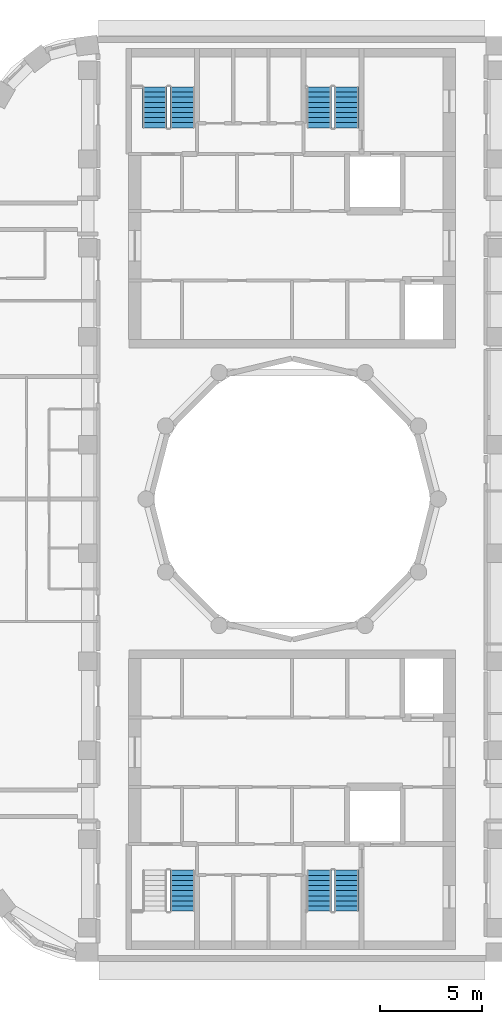
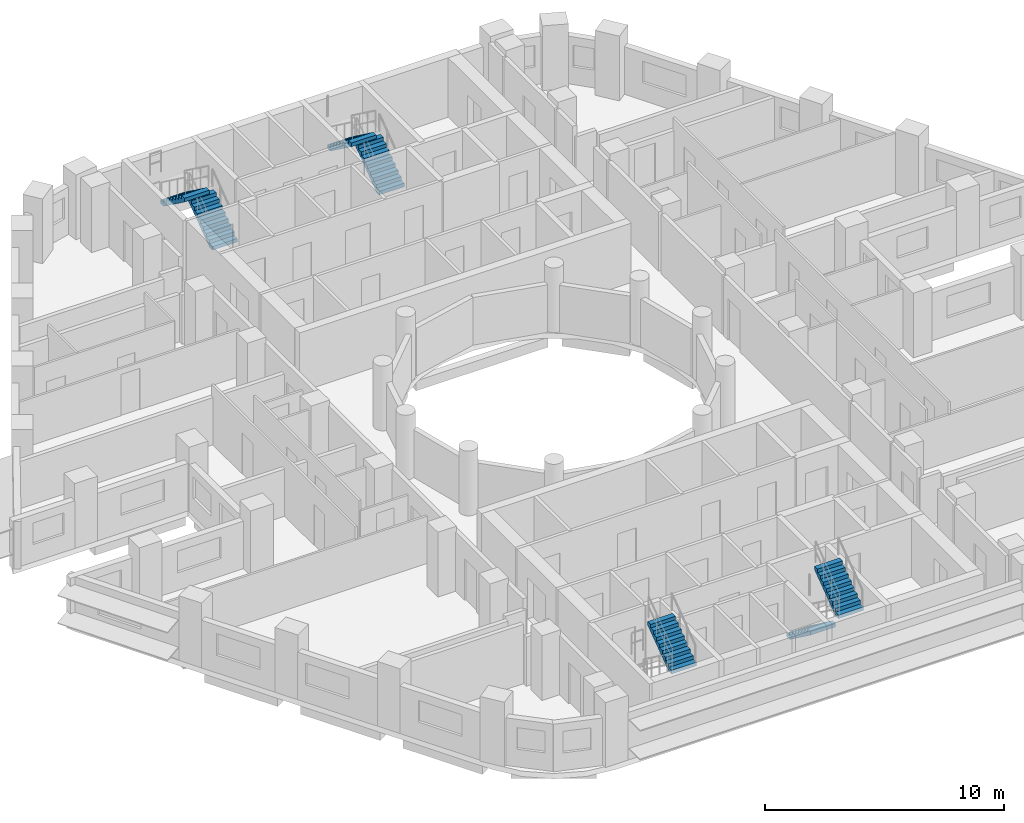
# One storey, part 9 of 12: 7 stair flights, 4 elements without a shape of their own.
"""IFC4 building model written with IfcOpenShell, lengths in metres."""

from ifc_helpers import new_model, si_unit, direction, frame, origin, place, context, subcontext, project, spatial, polyline, outline, extrude, material, type_object, element, aggregate, save


model = new_model("IFC4")

# Units and contexts
model_context = context("Model", 3, precision=1e-05, world=origin(), true_north=direction((0.0, 1.0)))
body_context = subcontext(model_context, "Body", "Model", "MODEL_VIEW")
ifc_project = project(units=[si_unit("LENGTHUNIT", "METRE"), si_unit("AREAUNIT", "SQUARE_METRE"), si_unit("VOLUMEUNIT", "CUBIC_METRE"), si_unit("PLANEANGLEUNIT", "RADIAN"), si_unit("MASSUNIT", "GRAM", prefix="KILO")], contexts=[model_context])

# Site, building, storey
site_placement = place(None, origin())
site = spatial("IfcSite", under=ifc_project, at=site_placement, CompositionType="ELEMENT")
building_placement = place(site_placement, origin())
building = spatial("IfcBuilding", under=site, at=building_placement, Name="Nakaniwa Court", CompositionType="ELEMENT")
storey_placement = place(building_placement, frame((0.0, 0.0, 252.60009765625)))
storey = spatial("IfcBuildingStorey", under=building, at=storey_placement, Name="L66", CompositionType="ELEMENT", Elevation=252.60009765625)

# Stair, stair flights
ifc_material = material(Name="Concrete C80/100", Category="concrete")
stair_type = type_object("IfcStairType", Name="Dog leg stair 1200 wide 18 risers", PredefinedType="HALF_TURN_STAIR", material=ifc_material)
stair_1_placement = place(storey_placement, origin())
stair_1 = element("IfcStair", 1, at=stair_1_placement, inside=storey, type_object=stair_type, Name="L66 Stair ST1", PredefinedType="HALF_TURN_STAIR")
stair_flight_type = type_object("IfcStairFlightType", Name="Stair flight 1200 wide 9 risers", PredefinedType="STRAIGHT", material=ifc_material)
stair_flight_1_placement = place(storey_placement, frame((74.625, 98.175048828125, 0.0), z_axis=(0.0, 0.0, 1.0), x_axis=(0.0, 1.0, 0.0)))
stair_flight_1 = element("IfcStairFlight", 2, at=stair_flight_1_placement, type_object=stair_flight_type, Name="ST1 flight 1", NumberOfRisers=9, NumberOfTreads=8, PredefinedType="STRAIGHT", RiserHeight=0.183333333, TreadLength=0.25, context=body_context, shape_type="SweptSolid", body=[
    extrude(outline(polyline([(0.0, 0.0), (0.0, 0.026123046875), (0.0, 0.052490234375), (0.0, 0.07861328125), (0.0, 0.104736328125), (0.0, 0.130859375), (0.0, 0.1572265625), (0.0, 0.183349609375), (0.25, 0.183349609375), (0.25, 0.36669921875), (0.5, 0.36669921875), (0.5, 0.550048828125), (0.75, 0.550048828125), (0.75, 0.7333984375), (1.0, 0.7333984375), (1.0, 0.916748046875), (1.25, 0.916748046875), (1.25, 1.10009765625), (1.5, 1.10009765625), (1.5, 1.283447265625), (1.75, 1.283447265625), (1.75, 1.466552734375), (2.0, 1.466552734375), (2.0, 1.64990234375), (2.0, 1.59716796875), (2.0, 1.54443359375), (2.0, 1.49169921875), (2.0, 1.43896484375), (2.0, 1.38623046875), (2.0, 1.33349609375), (2.0, 1.28076171875), (0.25341796875, 0.0), (0.0, 0.0)])), frame((0.0, 0.60009765625, 0.0), z_axis=(0.0, -1.0, 0.0), x_axis=(1.0, 0.0, 0.0)), (0.0, 0.0, 1.0), 1.199951171875),
])
stair_flight_2_placement = place(storey_placement, frame((73.27490234375, 100.175048828125, 1.64990234375), z_axis=(0.0, 0.0, 1.0), x_axis=(0.0, -1.0, 0.0)))
stair_flight_2 = element("IfcStairFlight", 3, at=stair_flight_2_placement, type_object=stair_flight_type, Name="ST1 flight 2", NumberOfRisers=9, NumberOfTreads=8, PredefinedType="STRAIGHT", RiserHeight=0.183333333, TreadLength=0.25, context=body_context, shape_type="SweptSolid", body=[
    extrude(outline(polyline([(0.0, 0.0), (0.0, 0.026123046875), (0.0, 0.052490234375), (0.0, 0.07861328125), (0.0, 0.104736328125), (0.0, 0.130859375), (0.0, 0.1572265625), (0.0, 0.183349609375), (0.25, 0.183349609375), (0.25, 0.36669921875), (0.5, 0.36669921875), (0.5, 0.550048828125), (0.75, 0.550048828125), (0.75, 0.7333984375), (1.0, 0.7333984375), (1.0, 0.916748046875), (1.25, 0.916748046875), (1.25, 1.10009765625), (1.5, 1.10009765625), (1.5, 1.283447265625), (1.75, 1.283447265625), (1.75, 1.466552734375), (2.0, 1.466552734375), (2.0, 1.64990234375), (2.0, 1.59716796875), (2.0, 1.54443359375), (2.0, 1.49169921875), (2.0, 1.43896484375), (2.0, 1.38623046875), (2.0, 1.33349609375), (2.0, 1.28076171875), (0.25341796875, 0.0), (0.0, 0.0)])), frame((0.0, 0.60009765625, 0.0), z_axis=(0.0, -1.0, 0.0), x_axis=(1.0, 0.0, 0.0)), (0.0, 0.0, 1.0), 1.199951171875),
])
aggregate(stair_1, [stair_flight_1, stair_flight_2])

stair_2_placement = place(storey_placement, origin())
stair_2 = element("IfcStair", 4, at=stair_2_placement, inside=storey, type_object=stair_type, Name="L66 Stair ST2", PredefinedType="HALF_TURN_STAIR")
stair_flight_3_placement = place(storey_placement, frame((82.675048828125, 98.175048828125, 0.0), z_axis=(0.0, 0.0, 1.0), x_axis=(0.0, 1.0, 0.0)))
stair_flight_3 = element("IfcStairFlight", 5, at=stair_flight_3_placement, type_object=stair_flight_type, Name="ST2 flight 1", NumberOfRisers=9, NumberOfTreads=8, PredefinedType="STRAIGHT", RiserHeight=0.183333333, TreadLength=0.25, context=body_context, shape_type="SweptSolid", body=[
    extrude(outline(polyline([(0.0, 0.0), (0.0, 0.026123046875), (0.0, 0.052490234375), (0.0, 0.07861328125), (0.0, 0.104736328125), (0.0, 0.130859375), (0.0, 0.1572265625), (0.0, 0.183349609375), (0.25, 0.183349609375), (0.25, 0.36669921875), (0.5, 0.36669921875), (0.5, 0.550048828125), (0.75, 0.550048828125), (0.75, 0.7333984375), (1.0, 0.7333984375), (1.0, 0.916748046875), (1.25, 0.916748046875), (1.25, 1.10009765625), (1.5, 1.10009765625), (1.5, 1.283447265625), (1.75, 1.283447265625), (1.75, 1.466552734375), (2.0, 1.466552734375), (2.0, 1.64990234375), (2.0, 1.59716796875), (2.0, 1.54443359375), (2.0, 1.49169921875), (2.0, 1.43896484375), (2.0, 1.38623046875), (2.0, 1.33349609375), (2.0, 1.28076171875), (0.25341796875, 0.0), (0.0, 0.0)])), frame((0.0, 0.60009765625, 0.0), z_axis=(0.0, -1.0, 0.0), x_axis=(1.0, 0.0, 0.0)), (0.0, 0.0, 1.0), 1.199951171875),
])
stair_flight_4_placement = place(storey_placement, frame((81.324951171875, 100.175048828125, 1.64990234375), z_axis=(0.0, 0.0, 1.0), x_axis=(0.0, -1.0, 0.0)))
stair_flight_4 = element("IfcStairFlight", 6, at=stair_flight_4_placement, type_object=stair_flight_type, Name="ST2 flight 2", NumberOfRisers=9, NumberOfTreads=8, PredefinedType="STRAIGHT", RiserHeight=0.183333333, TreadLength=0.25, context=body_context, shape_type="SweptSolid", body=[
    extrude(outline(polyline([(0.0, 0.0), (0.0, 0.026123046875), (0.0, 0.052490234375), (0.0, 0.07861328125), (0.0, 0.104736328125), (0.0, 0.130859375), (0.0, 0.1572265625), (0.0, 0.183349609375), (0.25, 0.183349609375), (0.25, 0.36669921875), (0.5, 0.36669921875), (0.5, 0.550048828125), (0.75, 0.550048828125), (0.75, 0.7333984375), (1.0, 0.7333984375), (1.0, 0.916748046875), (1.25, 0.916748046875), (1.25, 1.10009765625), (1.5, 1.10009765625), (1.5, 1.283447265625), (1.75, 1.283447265625), (1.75, 1.466552734375), (2.0, 1.466552734375), (2.0, 1.64990234375), (2.0, 1.59716796875), (2.0, 1.54443359375), (2.0, 1.49169921875), (2.0, 1.43896484375), (2.0, 1.38623046875), (2.0, 1.33349609375), (2.0, 1.28076171875), (0.25341796875, 0.0), (0.0, 0.0)])), frame((0.0, 0.60009765625, 0.0), z_axis=(0.0, -1.0, 0.0), x_axis=(1.0, 0.0, 0.0)), (0.0, 0.0, 1.0), 1.199951171875),
])
aggregate(stair_2, [stair_flight_3, stair_flight_4])

# Stair, stair flight
stair_3_placement = place(storey_placement, origin())
stair_3 = element("IfcStair", 7, at=stair_3_placement, inside=storey, type_object=stair_type, Name="L66 Stair ST3", PredefinedType="HALF_TURN_STAIR")
stair_flight_5_placement = place(storey_placement, frame((74.625, 59.824951171875, 1.64990234375), z_axis=(0.0, 0.0, 1.0), x_axis=(0.0, 1.0, 0.0)))
stair_flight_5 = element("IfcStairFlight", 8, at=stair_flight_5_placement, type_object=stair_flight_type, Name="ST3 flight 2", NumberOfRisers=9, NumberOfTreads=8, PredefinedType="STRAIGHT", RiserHeight=0.183333333, TreadLength=0.25, context=body_context, shape_type="SweptSolid", body=[
    extrude(outline(polyline([(0.0, 0.0), (0.0, 0.026123046875), (0.0, 0.052490234375), (0.0, 0.07861328125), (0.0, 0.104736328125), (0.0, 0.130859375), (0.0, 0.1572265625), (0.0, 0.183349609375), (0.25, 0.183349609375), (0.25, 0.36669921875), (0.5, 0.36669921875), (0.5, 0.550048828125), (0.75, 0.550048828125), (0.75, 0.7333984375), (1.0, 0.7333984375), (1.0, 0.916748046875), (1.25, 0.916748046875), (1.25, 1.10009765625), (1.5, 1.10009765625), (1.5, 1.283447265625), (1.75, 1.283447265625), (1.75, 1.466552734375), (2.0, 1.466552734375), (2.0, 1.64990234375), (2.0, 1.59716796875), (2.0, 1.54443359375), (2.0, 1.49169921875), (2.0, 1.43896484375), (2.0, 1.38623046875), (2.0, 1.33349609375), (2.0, 1.28076171875), (0.25341796875, 0.0), (0.0, 0.0)])), frame((0.0, 0.60009765625, 0.0), z_axis=(0.0, -1.0, 0.0), x_axis=(1.0, 0.0, 0.0)), (0.0, 0.0, 1.0), 1.199951171875),
])
aggregate(stair_3, [stair_flight_5])

# Stair, stair flights
stair_4_placement = place(storey_placement, origin())
stair_4 = element("IfcStair", 9, at=stair_4_placement, inside=storey, type_object=stair_type, Name="L66 Stair ST4", PredefinedType="HALF_TURN_STAIR")
stair_flight_6_placement = place(storey_placement, frame((81.324951171875, 61.824951171875, 0.0), z_axis=(0.0, 0.0, 1.0), x_axis=(0.0, -1.0, 0.0)))
stair_flight_6 = element("IfcStairFlight", 10, at=stair_flight_6_placement, type_object=stair_flight_type, Name="ST4 flight 1", NumberOfRisers=9, NumberOfTreads=8, PredefinedType="STRAIGHT", RiserHeight=0.183333333, TreadLength=0.25, context=body_context, shape_type="SweptSolid", body=[
    extrude(outline(polyline([(0.0, 0.0), (0.0, 0.026123046875), (0.0, 0.052490234375), (0.0, 0.07861328125), (0.0, 0.104736328125), (0.0, 0.130859375), (0.0, 0.1572265625), (0.0, 0.183349609375), (0.25, 0.183349609375), (0.25, 0.36669921875), (0.5, 0.36669921875), (0.5, 0.550048828125), (0.75, 0.550048828125), (0.75, 0.7333984375), (1.0, 0.7333984375), (1.0, 0.916748046875), (1.25, 0.916748046875), (1.25, 1.10009765625), (1.5, 1.10009765625), (1.5, 1.283447265625), (1.75, 1.283447265625), (1.75, 1.466552734375), (2.0, 1.466552734375), (2.0, 1.64990234375), (2.0, 1.59716796875), (2.0, 1.54443359375), (2.0, 1.49169921875), (2.0, 1.43896484375), (2.0, 1.38623046875), (2.0, 1.33349609375), (2.0, 1.28076171875), (0.25341796875, 0.0), (0.0, 0.0)])), frame((0.0, 0.60009765625, 0.0), z_axis=(0.0, -1.0, 0.0), x_axis=(1.0, 0.0, 0.0)), (0.0, 0.0, 1.0), 1.199951171875),
])
stair_flight_7_placement = place(storey_placement, frame((82.675048828125, 59.824951171875, 1.64990234375), z_axis=(0.0, 0.0, 1.0), x_axis=(0.0, 1.0, 0.0)))
stair_flight_7 = element("IfcStairFlight", 11, at=stair_flight_7_placement, type_object=stair_flight_type, Name="ST4 flight 2", NumberOfRisers=9, NumberOfTreads=8, PredefinedType="STRAIGHT", RiserHeight=0.183333333, TreadLength=0.25, context=body_context, shape_type="SweptSolid", body=[
    extrude(outline(polyline([(0.0, 0.0), (0.0, 0.026123046875), (0.0, 0.052490234375), (0.0, 0.07861328125), (0.0, 0.104736328125), (0.0, 0.130859375), (0.0, 0.1572265625), (0.0, 0.183349609375), (0.25, 0.183349609375), (0.25, 0.36669921875), (0.5, 0.36669921875), (0.5, 0.550048828125), (0.75, 0.550048828125), (0.75, 0.7333984375), (1.0, 0.7333984375), (1.0, 0.916748046875), (1.25, 0.916748046875), (1.25, 1.10009765625), (1.5, 1.10009765625), (1.5, 1.283447265625), (1.75, 1.283447265625), (1.75, 1.466552734375), (2.0, 1.466552734375), (2.0, 1.64990234375), (2.0, 1.59716796875), (2.0, 1.54443359375), (2.0, 1.49169921875), (2.0, 1.43896484375), (2.0, 1.38623046875), (2.0, 1.33349609375), (2.0, 1.28076171875), (0.25341796875, 0.0), (0.0, 0.0)])), frame((0.0, 0.60009765625, 0.0), z_axis=(0.0, -1.0, 0.0), x_axis=(1.0, 0.0, 0.0)), (0.0, 0.0, 1.0), 1.199951171875),
])
aggregate(stair_4, [stair_flight_6, stair_flight_7])

save(model, "model.ifc")
